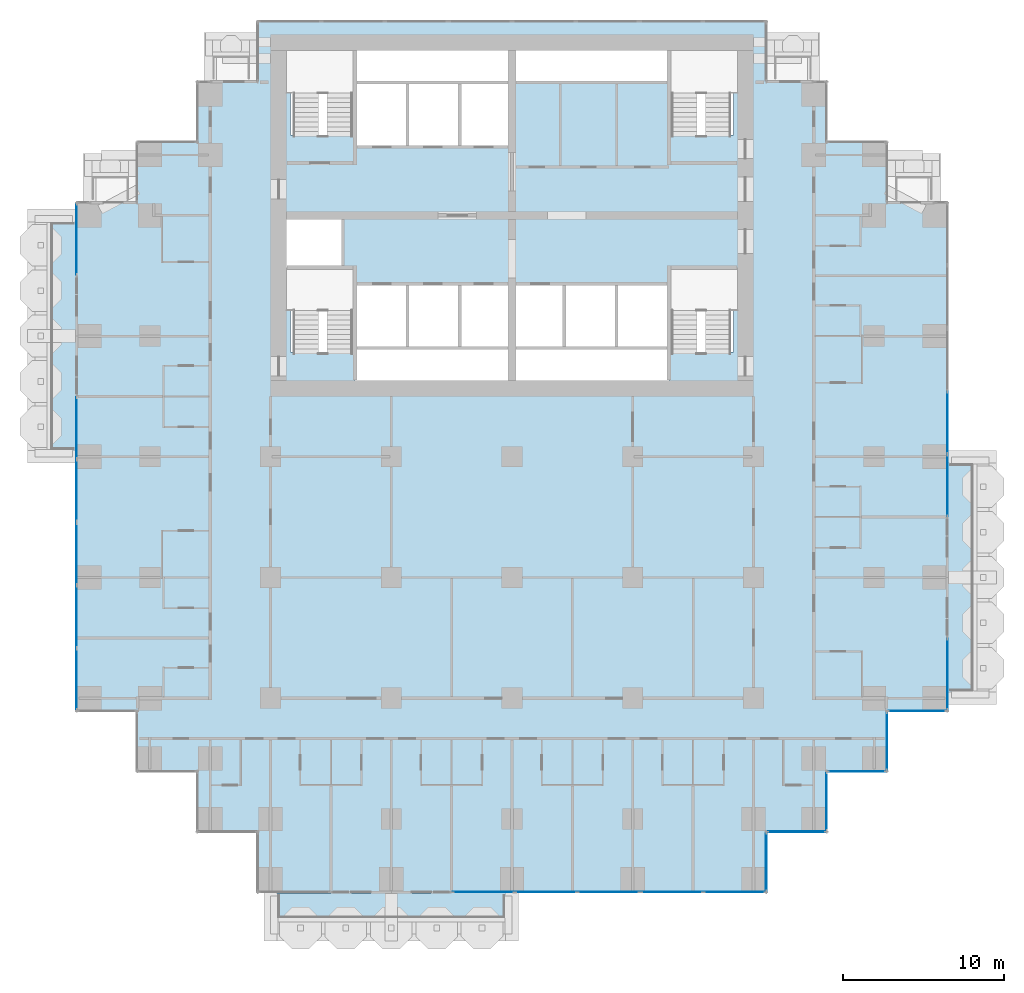
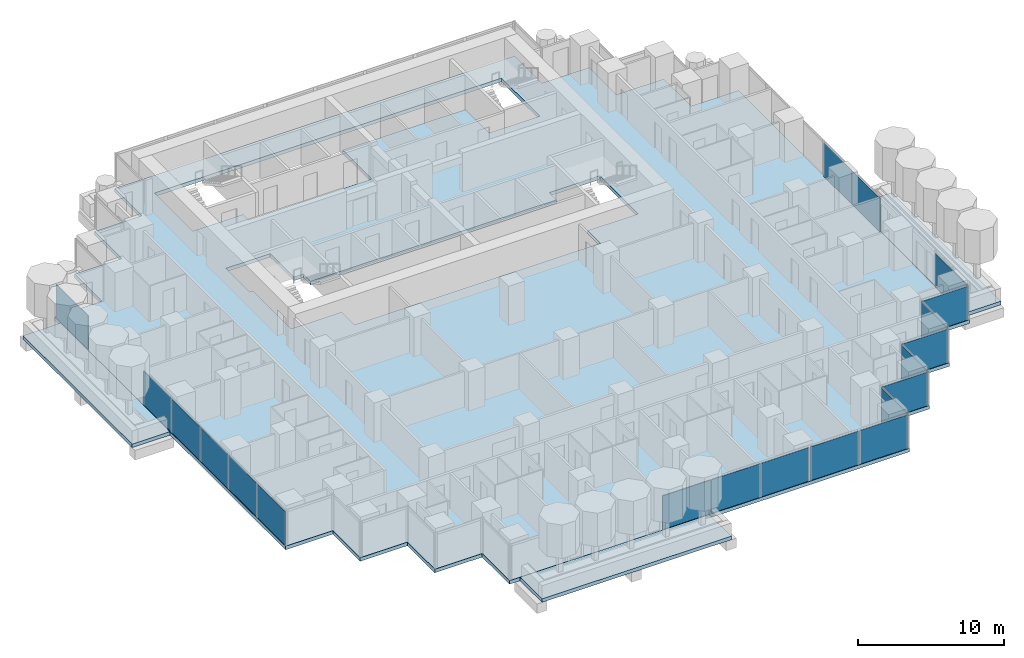
# One storey, part 8 of 19: 20 plates, 4 slabs, 13 elements without a shape of their own.
"""IFC4 building model written with IfcOpenShell, lengths in metres."""

from ifc_helpers import new_model, si_unit, direction, frame, origin, origin_2d, place, context, subcontext, project, spatial, polyline, rectangle, outline, extrude, material, layer, layer_set, type_object, element, aggregate, save


model = new_model("IFC4")

# Units and contexts
model_context = context("Model", 3, precision=1e-05, world=origin(), true_north=direction((0.0, 1.0)))
body_context = subcontext(model_context, "Body", "Model", "MODEL_VIEW")
ifc_project = project(units=[si_unit("LENGTHUNIT", "METRE"), si_unit("AREAUNIT", "SQUARE_METRE"), si_unit("VOLUMEUNIT", "CUBIC_METRE"), si_unit("PLANEANGLEUNIT", "RADIAN"), si_unit("MASSUNIT", "GRAM", prefix="KILO")], contexts=[model_context])

# Site, building, storey
site_placement = place(None, origin())
site = spatial("IfcSite", under=ifc_project, at=site_placement, CompositionType="ELEMENT")
building_placement = place(site_placement, origin())
building = spatial("IfcBuilding", under=site, at=building_placement, Name="Pilkhan Gate Tower", CompositionType="ELEMENT")
storey_placement = place(building_placement, frame((0.0, 0.0, 69.199951171875)))
storey = spatial("IfcBuildingStorey", under=building, at=storey_placement, Name="L15", CompositionType="ELEMENT", Elevation=69.199951171875)

# Slabs
ifc_material_1 = material(Name="Concrete C60/75", Category="concrete")
ifc_layer_1 = layer(ifc_material_1, 0.300048828125)
ifc_layer_set_1 = layer_set([ifc_layer_1], Name="Balcony tray slab TR300")
slab_type_1 = type_object("IfcSlabType", Name="Balcony tray slab TR300", PredefinedType="FLOOR", material=ifc_layer_set_1)
slab_1_placement = place(storey_placement, frame((0.0, 0.0, -0.300048828125)))
element("IfcSlab", 1, at=slab_1_placement, inside=storey, type_object=slab_type_1, Name="Balcony tray L15 S", PredefinedType="FLOOR", context=body_context, shape_type="SweptSolid", body=[
    extrude(outline(polyline([(75.0, 37.39990234375), (75.0, 40.39990234375), (60.0, 40.39990234375), (60.0, 37.39990234375), (75.0, 37.39990234375)])), origin(), (0.0, 0.0, 1.0), 0.300048828125),
])
slab_2_placement = place(storey_placement, frame((0.0, 0.0, -0.300048828125)))
element("IfcSlab", 2, at=slab_2_placement, inside=storey, type_object=slab_type_1, Name="Balcony tray L15 E", PredefinedType="FLOOR", context=body_context, shape_type="SweptSolid", body=[
    extrude(outline(polyline([(105.10009765625, 52.5), (105.10009765625, 67.5), (102.10009765625, 67.5), (102.10009765625, 52.5), (105.10009765625, 52.5)])), origin(), (0.0, 0.0, 1.0), 0.300048828125),
])
slab_3_placement = place(storey_placement, frame((0.0, 0.0, -0.300048828125)))
element("IfcSlab", 3, at=slab_3_placement, inside=storey, type_object=slab_type_1, Name="Balcony tray L15 W", PredefinedType="FLOOR", context=body_context, shape_type="SweptSolid", body=[
    extrude(outline(polyline([(47.89990234375, 67.5), (47.89990234375, 82.5), (44.89990234375, 82.5), (44.89990234375, 67.5), (47.89990234375, 67.5)])), origin(), (0.0, 0.0, 1.0), 0.300048828125),
])
ifc_material_2 = material(Name="Concrete C40/50", Category="concrete")
ifc_layer_2 = layer(ifc_material_2, 0.300048828125)
ifc_layer_set_2 = layer_set([ifc_layer_2], Name="Flat plate slab FP300")
slab_type_2 = type_object("IfcSlabType", Name="Flat plate slab FP300", PredefinedType="FLOOR", material=ifc_layer_set_2)
slab_4_placement = place(storey_placement, frame((0.0, 0.0, -0.300048828125)))
element("IfcSlab", 4, at=slab_4_placement, inside=storey, type_object=slab_type_2, Name="Floor slab L15", PredefinedType="FLOOR", context=body_context, shape_type="SweptSolid", body=[
    extrude(outline(polyline([(98.35009765625, 47.89990234375), (94.60009765625, 47.89990234375), (94.60009765625, 44.14990234375), (90.85009765625, 44.14990234375), (90.85009765625, 40.39990234375), (59.14990234375, 40.39990234375), (59.14990234375, 44.14990234375), (55.39990234375, 44.14990234375), (55.39990234375, 47.89990234375), (51.64990234375, 47.89990234375), (51.64990234375, 51.64990234375), (47.89990234375, 51.64990234375), (47.89990234375, 83.35009765625), (51.64990234375, 83.35009765625), (51.64990234375, 87.10009765625), (55.39990234375, 87.10009765625), (55.39990234375, 90.85009765625), (59.14990234375, 90.85009765625), (59.14990234375, 94.60009765625), (90.85009765625, 94.60009765625), (90.85009765625, 90.85009765625), (94.60009765625, 90.85009765625), (94.60009765625, 87.10009765625), (98.35009765625, 87.10009765625), (98.35009765625, 83.35009765625), (102.10009765625, 83.35009765625), (102.10009765625, 51.64990234375), (98.35009765625, 51.64990234375), (98.35009765625, 47.89990234375)]), holes=[polyline([(65.25, 87.5), (65.25, 86.75), (68.5, 86.75), (71.75, 86.75), (75.0, 86.75), (75.0, 90.75), (84.75, 90.75), (84.75, 87.5), (88.75, 87.5), (88.75, 92.75), (84.75, 92.75), (75.0, 92.75), (65.25, 92.75), (61.25, 92.75), (61.25, 87.5), (65.25, 87.5)]), polyline([(75.0, 72.25), (84.75, 72.25), (84.75, 74.0), (88.75, 74.0), (88.75, 79.25), (84.75, 79.25), (84.75, 78.25), (81.5, 78.25), (78.25, 78.25), (75.0, 78.25), (71.75, 78.25), (68.5, 78.25), (65.25, 78.25), (65.25, 79.25), (64.5, 79.25), (64.5, 82.5), (61.25, 82.5), (61.0, 82.5), (61.0, 79.25), (61.25, 79.25), (61.25, 74.0), (65.25, 74.0), (65.25, 72.25), (75.0, 72.25)])]), origin(), (0.0, 0.0, 1.0), 0.300048828125),
])

# Curtain wall, plate
ifc_material_3 = material(Name="Pale anodised aluminium, clear low-iron double glazing", Category="aluminium")
curtain_wall_type = type_object("IfcCurtainWallType", Name="Hotel unitised curtain wall CW-H", PredefinedType="USERDEFINED", material=ifc_material_3)
curtain_wall_1_placement = place(storey_placement, origin())
curtain_wall_1 = element("IfcCurtainWall", 5, at=curtain_wall_1_placement, inside=storey, type_object=curtain_wall_type, Name="Hotel unitised curtain wall CW-H L15 E", ObjectType="UNITISED CURTAIN WALL", PredefinedType="USERDEFINED")
ifc_material_4 = material(Name="Clear low-iron double glazing", Category="glass")
ifc_layer_3 = layer(ifc_material_4, 0.035888671875)
ifc_layer_set_3 = layer_set([ifc_layer_3], Name="Glass panel CW-H 36")
plate_type = type_object("IfcPlateType", Name="Glass panel CW-H 36", PredefinedType="CURTAIN_PANEL", material=ifc_layer_set_3)
plate_1_placement = place(storey_placement, frame((102.044921875, 53.9775390625, 0.0), z_axis=(0.0, 0.0, 1.0), x_axis=(0.0, 1.0, 0.0)))
plate_1 = element("IfcPlate", 6, at=plate_1_placement, type_object=plate_type, Name="CW-H panel 1", PredefinedType="CURTAIN_PANEL", context=body_context, shape_type="SweptSolid", body=[
    extrude(rectangle(XDim=4.4150390625, YDim=0.035888671875, at=origin_2d()), origin(), (0.0, 0.0, 1.0), 2.820068359375),
])
aggregate(curtain_wall_1, [plate_1])

# Curtain wall, plates
curtain_wall_2_placement = place(storey_placement, origin())
curtain_wall_2 = element("IfcCurtainWall", 7, at=curtain_wall_2_placement, inside=storey, type_object=curtain_wall_type, Name="Hotel unitised curtain wall CW-H L15 E", ObjectType="UNITISED CURTAIN WALL", PredefinedType="USERDEFINED")
plate_2_placement = place(storey_placement, frame((102.044921875, 65.720703125, 0.0), z_axis=(0.0, 0.0, 1.0), x_axis=(0.0, 1.0, 0.0)))
plate_2 = element("IfcPlate", 8, at=plate_2_placement, type_object=plate_type, Name="CW-H panel 1", PredefinedType="CURTAIN_PANEL", context=body_context, shape_type="SweptSolid", body=[
    extrude(rectangle(XDim=3.8115234375, YDim=0.035888671875, at=origin_2d()), origin(), (0.0, 0.0, 1.0), 2.820068359375),
])
plate_3_placement = place(storey_placement, frame((102.044921875, 69.613525390625, 0.0), z_axis=(0.0, 0.0, 1.0), x_axis=(0.0, 1.0, 0.0)))
plate_3 = element("IfcPlate", 9, at=plate_3_placement, type_object=plate_type, Name="CW-H panel 2", PredefinedType="CURTAIN_PANEL", context=body_context, shape_type="SweptSolid", body=[
    extrude(rectangle(XDim=3.843994140625, YDim=0.035888671875, at=origin_2d()), origin(), (0.0, 0.0, 1.0), 2.820068359375),
])
aggregate(curtain_wall_2, [plate_2, plate_3])

curtain_wall_3_placement = place(storey_placement, origin())
curtain_wall_3 = element("IfcCurtainWall", 10, at=curtain_wall_3_placement, inside=storey, type_object=curtain_wall_type, Name="Hotel unitised curtain wall CW-H L15 W", ObjectType="UNITISED CURTAIN WALL", PredefinedType="USERDEFINED")
plate_4_placement = place(storey_placement, frame((47.955078125, 53.67578125, 0.0), z_axis=(0.0, 0.0, 1.0), x_axis=(0.0, 1.0, 0.0)))
plate_4 = element("IfcPlate", 11, at=plate_4_placement, type_object=plate_type, Name="CW-H panel 1", PredefinedType="CURTAIN_PANEL", context=body_context, shape_type="SweptSolid", body=[
    extrude(rectangle(XDim=3.8115234375, YDim=0.035888671875, at=origin_2d()), origin(), (0.0, 0.0, 1.0), 2.820068359375),
])
plate_5_placement = place(storey_placement, frame((47.955078125, 57.568603515625, 0.0), z_axis=(0.0, 0.0, 1.0), x_axis=(0.0, 1.0, 0.0)))
plate_5 = element("IfcPlate", 12, at=plate_5_placement, type_object=plate_type, Name="CW-H panel 2", PredefinedType="CURTAIN_PANEL", context=body_context, shape_type="SweptSolid", body=[
    extrude(rectangle(XDim=3.843994140625, YDim=0.035888671875, at=origin_2d()), origin(), (0.0, 0.0, 1.0), 2.820068359375),
])
plate_6_placement = place(storey_placement, frame((47.955078125, 61.461181640625, 0.0), z_axis=(0.0, 0.0, 1.0), x_axis=(0.0, 1.0, 0.0)))
plate_6 = element("IfcPlate", 13, at=plate_6_placement, type_object=plate_type, Name="CW-H panel 3", PredefinedType="CURTAIN_PANEL", context=body_context, shape_type="SweptSolid", body=[
    extrude(rectangle(XDim=3.8115234375, YDim=0.035888671875, at=origin_2d()), origin(), (0.0, 0.0, 1.0), 2.820068359375),
])
aggregate(curtain_wall_3, [plate_4, plate_5, plate_6])

curtain_wall_4_placement = place(storey_placement, origin())
curtain_wall_4 = element("IfcCurtainWall", 14, at=curtain_wall_4_placement, inside=storey, type_object=curtain_wall_type, Name="Hotel unitised curtain wall CW-H L15 W", ObjectType="UNITISED CURTAIN WALL", PredefinedType="USERDEFINED")
plate_7_placement = place(storey_placement, frame((47.955078125, 65.40283203125, 0.0), z_axis=(0.0, 0.0, 1.0), x_axis=(0.0, 1.0, 0.0)))
plate_7 = element("IfcPlate", 15, at=plate_7_placement, type_object=plate_type, Name="CW-H panel 1", PredefinedType="CURTAIN_PANEL", context=body_context, shape_type="SweptSolid", body=[
    extrude(rectangle(XDim=3.8115234375, YDim=0.035888671875, at=origin_2d()), origin(), (0.0, 0.0, 1.0), 2.820068359375),
])
plate_8_placement = place(storey_placement, frame((47.955078125, 69.279296875, 0.0), z_axis=(0.0, 0.0, 1.0), x_axis=(0.0, 1.0, 0.0)))
plate_8 = element("IfcPlate", 16, at=plate_8_placement, type_object=plate_type, Name="CW-H panel 2", PredefinedType="CURTAIN_PANEL", context=body_context, shape_type="SweptSolid", body=[
    extrude(rectangle(XDim=3.8115234375, YDim=0.035888671875, at=origin_2d()), origin(), (0.0, 0.0, 1.0), 2.820068359375),
])
aggregate(curtain_wall_4, [plate_7, plate_8])

# Curtain wall, plate
curtain_wall_5_placement = place(storey_placement, origin())
curtain_wall_5 = element("IfcCurtainWall", 17, at=curtain_wall_5_placement, inside=storey, type_object=curtain_wall_type, Name="Hotel unitised curtain wall CW-H L15 W", ObjectType="UNITISED CURTAIN WALL", PredefinedType="USERDEFINED")
plate_9_placement = place(storey_placement, frame((47.955078125, 81.0224609375, 0.0), z_axis=(0.0, 0.0, 1.0), x_axis=(0.0, 1.0, 0.0)))
plate_9 = element("IfcPlate", 18, at=plate_9_placement, type_object=plate_type, Name="CW-H panel 1", PredefinedType="CURTAIN_PANEL", context=body_context, shape_type="SweptSolid", body=[
    extrude(rectangle(XDim=4.4150390625, YDim=0.035888671875, at=origin_2d()), origin(), (0.0, 0.0, 1.0), 2.820068359375),
])
aggregate(curtain_wall_5, [plate_9])

# Curtain wall, plates
curtain_wall_6_placement = place(storey_placement, origin())
curtain_wall_6 = element("IfcCurtainWall", 19, at=curtain_wall_6_placement, inside=storey, type_object=curtain_wall_type, Name="Hotel unitised curtain wall CW-H L15 S", ObjectType="UNITISED CURTAIN WALL", PredefinedType="USERDEFINED")
plate_10_placement = place(storey_placement, frame((73.220703125, 40.455078125, 0.0), z_axis=(0.0, 0.0, 1.0), x_axis=(1.0, 0.0, 0.0)))
plate_10 = element("IfcPlate", 20, at=plate_10_placement, type_object=plate_type, Name="CW-H panel 1", PredefinedType="CURTAIN_PANEL", context=body_context, shape_type="SweptSolid", body=[
    extrude(rectangle(XDim=3.8115234375, YDim=0.035888671875, at=origin_2d()), origin(), (0.0, 0.0, 1.0), 2.820068359375),
])
plate_11_placement = place(storey_placement, frame((77.113525390625, 40.455078125, 0.0), z_axis=(0.0, 0.0, 1.0), x_axis=(1.0, 0.0, 0.0)))
plate_11 = element("IfcPlate", 21, at=plate_11_placement, type_object=plate_type, Name="CW-H panel 2", PredefinedType="CURTAIN_PANEL", context=body_context, shape_type="SweptSolid", body=[
    extrude(rectangle(XDim=3.843994140625, YDim=0.035888671875, at=origin_2d()), origin(), (0.0, 0.0, 1.0), 2.820068359375),
])
plate_12_placement = place(storey_placement, frame((81.00634765625, 40.455078125, 0.0), z_axis=(0.0, 0.0, 1.0), x_axis=(1.0, 0.0, 0.0)))
plate_12 = element("IfcPlate", 22, at=plate_12_placement, type_object=plate_type, Name="CW-H panel 3", PredefinedType="CURTAIN_PANEL", context=body_context, shape_type="SweptSolid", body=[
    extrude(rectangle(XDim=3.8115234375, YDim=0.035888671875, at=origin_2d()), origin(), (0.0, 0.0, 1.0), 2.820068359375),
])
aggregate(curtain_wall_6, [plate_10, plate_11, plate_12])

curtain_wall_7_placement = place(storey_placement, origin())
curtain_wall_7 = element("IfcCurtainWall", 23, at=curtain_wall_7_placement, inside=storey, type_object=curtain_wall_type, Name="Hotel unitised curtain wall CW-H L15 S", ObjectType="UNITISED CURTAIN WALL", PredefinedType="USERDEFINED")
plate_13_placement = place(storey_placement, frame((84.94775390625, 40.455078125, 0.0), z_axis=(0.0, 0.0, 1.0), x_axis=(1.0, 0.0, 0.0)))
plate_13 = element("IfcPlate", 24, at=plate_13_placement, type_object=plate_type, Name="CW-H panel 1", PredefinedType="CURTAIN_PANEL", context=body_context, shape_type="SweptSolid", body=[
    extrude(rectangle(XDim=3.8115234375, YDim=0.035888671875, at=origin_2d()), origin(), (0.0, 0.0, 1.0), 2.820068359375),
])
plate_14_placement = place(storey_placement, frame((88.82421875, 40.455078125, 0.0), z_axis=(0.0, 0.0, 1.0), x_axis=(1.0, 0.0, 0.0)))
plate_14 = element("IfcPlate", 25, at=plate_14_placement, type_object=plate_type, Name="CW-H panel 2", PredefinedType="CURTAIN_PANEL", context=body_context, shape_type="SweptSolid", body=[
    extrude(rectangle(XDim=3.8115234375, YDim=0.035888671875, at=origin_2d()), origin(), (0.0, 0.0, 1.0), 2.820068359375),
])
aggregate(curtain_wall_7, [plate_13, plate_14])

# Curtain wall, plate
curtain_wall_8_placement = place(storey_placement, origin())
curtain_wall_8 = element("IfcCurtainWall", 26, at=curtain_wall_8_placement, inside=storey, type_object=curtain_wall_type, Name="Hotel unitised curtain wall CW-H L15 E", ObjectType="UNITISED CURTAIN WALL", PredefinedType="USERDEFINED")
plate_15_placement = place(storey_placement, frame((90.794921875, 42.330078125, 0.0), z_axis=(0.0, 0.0, 1.0), x_axis=(0.0, 1.0, 0.0)))
plate_15 = element("IfcPlate", 27, at=plate_15_placement, type_object=plate_type, Name="CW-H panel 1", PredefinedType="CURTAIN_PANEL", context=body_context, shape_type="SweptSolid", body=[
    extrude(rectangle(XDim=3.6201171875, YDim=0.035888671875, at=origin_2d()), origin(), (0.0, 0.0, 1.0), 2.820068359375),
])
aggregate(curtain_wall_8, [plate_15])

curtain_wall_9_placement = place(storey_placement, origin())
curtain_wall_9 = element("IfcCurtainWall", 28, at=curtain_wall_9_placement, inside=storey, type_object=curtain_wall_type, Name="Hotel unitised curtain wall CW-H L15 S", ObjectType="UNITISED CURTAIN WALL", PredefinedType="USERDEFINED")
plate_16_placement = place(storey_placement, frame((92.669921875, 44.205078125, 0.0), z_axis=(0.0, 0.0, 1.0), x_axis=(1.0, 0.0, 0.0)))
plate_16 = element("IfcPlate", 29, at=plate_16_placement, type_object=plate_type, Name="CW-H panel 1", PredefinedType="CURTAIN_PANEL", context=body_context, shape_type="SweptSolid", body=[
    extrude(rectangle(XDim=3.6201171875, YDim=0.035888671875, at=origin_2d()), origin(), (0.0, 0.0, 1.0), 2.820068359375),
])
aggregate(curtain_wall_9, [plate_16])

curtain_wall_10_placement = place(storey_placement, origin())
curtain_wall_10 = element("IfcCurtainWall", 30, at=curtain_wall_10_placement, inside=storey, type_object=curtain_wall_type, Name="Hotel unitised curtain wall CW-H L15 E", ObjectType="UNITISED CURTAIN WALL", PredefinedType="USERDEFINED")
plate_17_placement = place(storey_placement, frame((94.544921875, 46.080078125, 0.0), z_axis=(0.0, 0.0, 1.0), x_axis=(0.0, 1.0, 0.0)))
plate_17 = element("IfcPlate", 31, at=plate_17_placement, type_object=plate_type, Name="CW-H panel 1", PredefinedType="CURTAIN_PANEL", context=body_context, shape_type="SweptSolid", body=[
    extrude(rectangle(XDim=3.6201171875, YDim=0.035888671875, at=origin_2d()), origin(), (0.0, 0.0, 1.0), 2.820068359375),
])
aggregate(curtain_wall_10, [plate_17])

curtain_wall_11_placement = place(storey_placement, origin())
curtain_wall_11 = element("IfcCurtainWall", 32, at=curtain_wall_11_placement, inside=storey, type_object=curtain_wall_type, Name="Hotel unitised curtain wall CW-H L15 S", ObjectType="UNITISED CURTAIN WALL", PredefinedType="USERDEFINED")
plate_18_placement = place(storey_placement, frame((96.419921875, 47.955078125, 0.0), z_axis=(0.0, 0.0, 1.0), x_axis=(1.0, 0.0, 0.0)))
plate_18 = element("IfcPlate", 33, at=plate_18_placement, type_object=plate_type, Name="CW-H panel 1", PredefinedType="CURTAIN_PANEL", context=body_context, shape_type="SweptSolid", body=[
    extrude(rectangle(XDim=3.6201171875, YDim=0.035888671875, at=origin_2d()), origin(), (0.0, 0.0, 1.0), 2.820068359375),
])
aggregate(curtain_wall_11, [plate_18])

curtain_wall_12_placement = place(storey_placement, origin())
curtain_wall_12 = element("IfcCurtainWall", 34, at=curtain_wall_12_placement, inside=storey, type_object=curtain_wall_type, Name="Hotel unitised curtain wall CW-H L15 E", ObjectType="UNITISED CURTAIN WALL", PredefinedType="USERDEFINED")
plate_19_placement = place(storey_placement, frame((98.294921875, 49.830078125, 0.0), z_axis=(0.0, 0.0, 1.0), x_axis=(0.0, 1.0, 0.0)))
plate_19 = element("IfcPlate", 35, at=plate_19_placement, type_object=plate_type, Name="CW-H panel 1", PredefinedType="CURTAIN_PANEL", context=body_context, shape_type="SweptSolid", body=[
    extrude(rectangle(XDim=3.6201171875, YDim=0.035888671875, at=origin_2d()), origin(), (0.0, 0.0, 1.0), 2.820068359375),
])
aggregate(curtain_wall_12, [plate_19])

curtain_wall_13_placement = place(storey_placement, origin())
curtain_wall_13 = element("IfcCurtainWall", 36, at=curtain_wall_13_placement, inside=storey, type_object=curtain_wall_type, Name="Hotel unitised curtain wall CW-H L15 S", ObjectType="UNITISED CURTAIN WALL", PredefinedType="USERDEFINED")
plate_20_placement = place(storey_placement, frame((100.169921875, 51.705078125, 0.0), z_axis=(0.0, 0.0, 1.0), x_axis=(1.0, 0.0, 0.0)))
plate_20 = element("IfcPlate", 37, at=plate_20_placement, type_object=plate_type, Name="CW-H panel 1", PredefinedType="CURTAIN_PANEL", context=body_context, shape_type="SweptSolid", body=[
    extrude(rectangle(XDim=3.6201171875, YDim=0.035888671875, at=origin_2d()), origin(), (0.0, 0.0, 1.0), 2.820068359375),
])
aggregate(curtain_wall_13, [plate_20])

save(model, "model.ifc")
